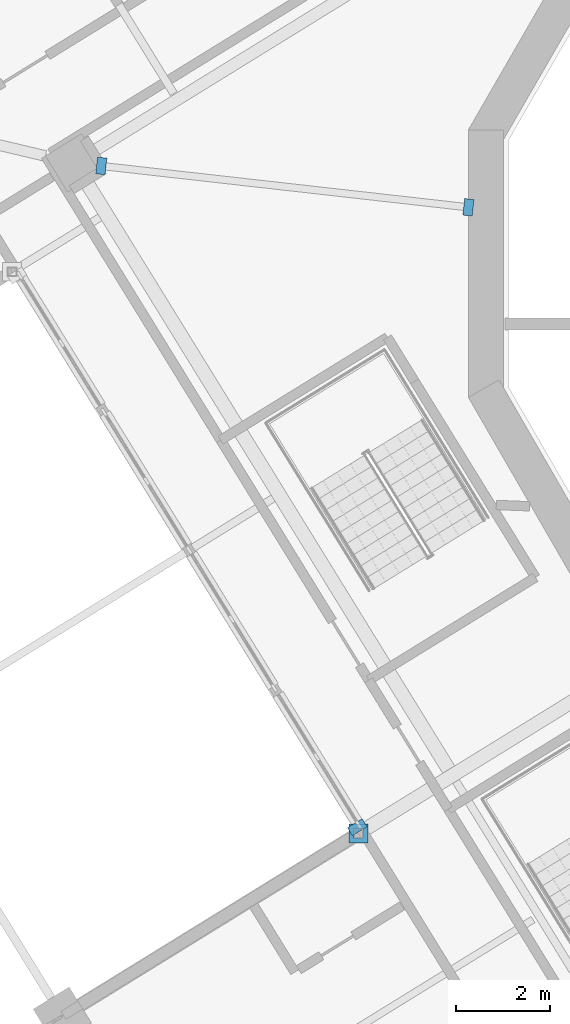
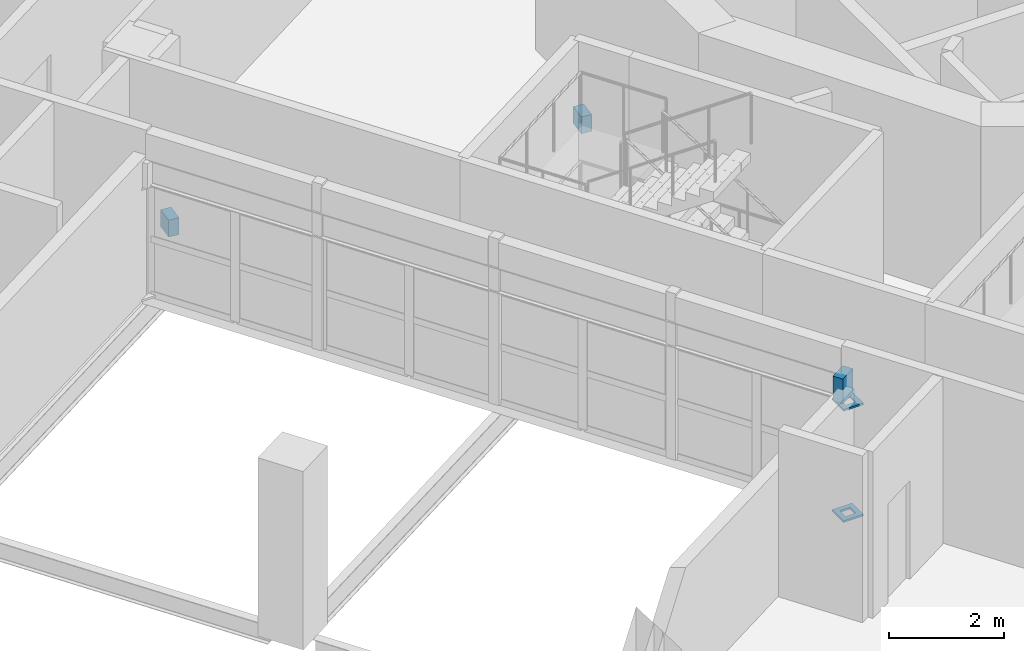
# One storey, part 12 of 20: 5 discrete accessories.
"""IFC4 building model written with IfcOpenShell, lengths in metres."""

import ifcopenshell
import ifcopenshell.guid

model = None  # the IFC model being written
_history = None  # IfcOwnerHistory: only IFC2X3 demands one
_inside = {}  # id of a spatial element -> (the spatial element, [elements in it])
_under = {}  # id of a project, library or spatial element -> (it, [spatial elements below it])
_declared = {}  # id of a project -> (the project, [libraries it declares])
_typed = {}  # id of a type object -> (the type object, [elements of that type])
_made_of = {}  # id of a material, layer set ... -> (it, [elements and type objects made of it])


def new_model(schema):
    """Start an empty IFC model of exactly this schema.

    Asked for "IFC4X3", IfcOpenShell would pick the latest addendum, in which some entities
    have other attributes; the version numbers below select the first issue.
    IFC2X3 requires an IfcOwnerHistory on every rooted entity: one is made here for all.
    """
    global model, _history
    if schema == "IFC4X3":
        model = ifcopenshell.file(schema_version=(4, 3, 0, 0))
    else:
        model = ifcopenshell.file(schema=schema)
    _inside.clear()
    _under.clear()
    _declared.clear()
    _typed.clear()
    _made_of.clear()
    _history = None
    if model.schema == "IFC2X3":
        org = make("IfcOrganization", Name="unknown")
        user = make(
            "IfcPersonAndOrganization",
            ThePerson=make("IfcPerson", FamilyName="unknown"),
            TheOrganization=org,
        )
        app = make(
            "IfcApplication",
            ApplicationDeveloper=org,
            Version="unknown",
            ApplicationFullName="unknown",
            ApplicationIdentifier="unknown",
        )
        _history = make(
            "IfcOwnerHistory",
            OwningUser=user,
            OwningApplication=app,
            ChangeAction="ADDED",
            CreationDate=0,
        )
    return model


def make(cls, **values):
    """One entity of the class cls with the attributes given. An attribute that is None is left unset."""
    return model.create_entity(
        cls, **{name: value for name, value in values.items() if value is not None}
    )


def rooted(cls, **values):
    """An entity with a GlobalId (a new one), such as an element, a storey or a relation."""
    return make(cls, GlobalId=ifcopenshell.guid.new(), OwnerHistory=_history, **values)


def si_unit(unit_type, name, prefix=None):
    """IfcSIUnit, for example si_unit("LENGTHUNIT", "METRE", prefix="MILLI")."""
    return make("IfcSIUnit", UnitType=unit_type, Prefix=prefix, Name=name)


def assignment(units):
    """IfcUnitAssignment: the units of a project."""
    return None if units is None else make("IfcUnitAssignment", Units=units)


def point(xyz):
    """IfcCartesianPoint."""
    return None if xyz is None else make("IfcCartesianPoint", Coordinates=xyz)


def direction(xyz):
    """IfcDirection."""
    return None if xyz is None else make("IfcDirection", DirectionRatios=xyz)


def frame(location, z_axis=None, x_axis=None):
    """IfcAxis2Placement3D, a coordinate frame: its origin and axes. An axis left out is left unset."""
    return make(
        "IfcAxis2Placement3D",
        Location=point(location),
        Axis=direction(z_axis),
        RefDirection=direction(x_axis),
    )


def origin():
    """The frame at (0, 0, 0) with its axes left unset."""
    return frame((0.0, 0.0, 0.0))


def place(relative_to, where):
    """IfcLocalPlacement: puts the frame where relative to a parent placement (None: the world)."""
    return make(
        "IfcLocalPlacement", PlacementRelTo=relative_to, RelativePlacement=where
    )


def context(
    kind, dimensions, precision=None, world=None, true_north=None, identifier=None
):
    """IfcGeometricRepresentationContext, for example the 3D "Model" context."""
    return make(
        "IfcGeometricRepresentationContext",
        ContextIdentifier=identifier,
        ContextType=kind,
        CoordinateSpaceDimension=dimensions,
        Precision=precision,
        WorldCoordinateSystem=world,
        TrueNorth=true_north,
    )


def subcontext(parent, identifier, kind, view, scale=None):
    """IfcGeometricRepresentationSubContext, for example "Body" below "Model"."""
    return make(
        "IfcGeometricRepresentationSubContext",
        ContextIdentifier=identifier,
        ContextType=kind,
        ParentContext=parent,
        TargetScale=scale,
        TargetView=view,
    )


def project(units=None, contexts=None):
    """IfcProject with its units and contexts."""
    return rooted(
        "IfcProject",
        Name="project",
        RepresentationContexts=contexts,
        UnitsInContext=assignment(units),
    )


def spatial(cls, under=None, at=None, **own):
    """A site, building, storey or space (cls), placed at a placement, below another one or the project."""
    s = rooted(cls, ObjectPlacement=at, **own)
    if under is not None:
        _under.setdefault(under.id(), (under, []))[1].append(s)
    return s


def polyline(points):
    """IfcPolyline through the points."""
    return make("IfcPolyline", Points=[point(p) for p in points])


def outline(outer, holes=None, kind="AREA"):
    """IfcArbitraryClosedProfileDef: a profile drawn as a closed curve; with holes, ...WithVoids."""
    if holes is None:
        return make("IfcArbitraryClosedProfileDef", ProfileType=kind, OuterCurve=outer)
    return make(
        "IfcArbitraryProfileDefWithVoids",
        ProfileType=kind,
        OuterCurve=outer,
        InnerCurves=holes,
    )


def extrude(swept, where, along, depth):
    """IfcExtrudedAreaSolid: the profile swept, set in the frame where, extruded along a direction by depth."""
    return make(
        "IfcExtrudedAreaSolid",
        SweptArea=swept,
        Position=where,
        ExtrudedDirection=direction(along),
        Depth=depth,
    )


def shape(context_of_items, identifier, shape_type, items):
    """IfcShapeRepresentation: the items that make up one representation, for example the "Body"."""
    return make(
        "IfcShapeRepresentation",
        ContextOfItems=context_of_items,
        RepresentationIdentifier=identifier,
        RepresentationType=shape_type,
        Items=items,
    )


def material(Name=None, Category=None):
    """IfcMaterial."""
    return make("IfcMaterial", Name=Name, Category=Category)


def layer(
    of_material, thickness, ventilated=None, Name=None, Category=None, Priority=None
):
    """IfcMaterialLayer: one layer of a wall or slab, of a material (None: an air gap)."""
    return make(
        "IfcMaterialLayer",
        Material=of_material,
        LayerThickness=thickness,
        IsVentilated=ventilated,
        Name=Name,
        Category=Category,
        Priority=Priority,
    )


def layer_set(layers, Name=None):
    """IfcMaterialLayerSet."""
    return make("IfcMaterialLayerSet", MaterialLayers=layers, LayerSetName=Name)


def made_of(thing, what):
    """Note that an element or type object is made of a material, layer set ...; save() writes the relation."""
    if what is not None:
        _made_of.setdefault(what.id(), (what, []))[1].append(thing)
    return thing


def type_object(cls, material=None, **own):
    """A type object (cls), such as IfcWallType, which elements share."""
    return made_of(rooted(cls, **own), material)


def element(
    cls,
    number,
    at=None,
    inside=None,
    cuts=None,
    type_object=None,
    material=None,
    context=None,
    identifier="Body",
    shape_type=None,
    held_by="IfcProductDefinitionShape",
    body=None,
    shapes=None,
    **own,
):
    """One element of the class cls, such as IfcWall. Its Tag is "e" and its number.

    at: its placement. inside: the storey or other place that contains it. cuts: it is an
    opening in that element (IfcRelVoidsElement). A single representation is given by context,
    identifier, shape_type and body (its items); several are given by shapes. held_by: the class
    of the entity that holds the representations. save() writes the other relations.
    """
    e = rooted(cls, Tag="e%d" % number, ObjectPlacement=at, **own)
    if body is not None:
        shapes = [shape(context, identifier, shape_type, body)]
    if shapes is not None:
        e.Representation = make(held_by, Representations=shapes)
    if inside is not None:
        _inside.setdefault(inside.id(), (inside, []))[1].append(e)
    if cuts is not None:
        rooted(
            "IfcRelVoidsElement", RelatingBuildingElement=cuts, RelatedOpeningElement=e
        )
    if type_object is not None:
        _typed.setdefault(type_object.id(), (type_object, []))[1].append(e)
    return made_of(e, material)


def aggregate(whole, parts):
    """IfcRelAggregates: a whole, such as a stair, and the parts it consists of."""
    return rooted("IfcRelAggregates", RelatingObject=whole, RelatedObjects=parts)


def save(model, path):
    """Write the relations noted so far, then the file.

    IfcRelAggregates (storeys below a building ...), IfcRelContainedInSpatialStructure (elements
    in a storey), IfcRelDefinesByType, IfcRelAssociatesMaterial and IfcRelDeclares: one each for
    every whole, place, type object, material and project.
    """
    for whole, parts in _under.values():
        aggregate(whole, parts)
    for where, things in _inside.values():
        rooted(
            "IfcRelContainedInSpatialStructure",
            RelatedElements=things,
            RelatingStructure=where,
        )
    for kind, things in _typed.values():
        rooted("IfcRelDefinesByType", RelatedObjects=things, RelatingType=kind)
    for what, things in _made_of.values():
        rooted("IfcRelAssociatesMaterial", RelatedObjects=things, RelatingMaterial=what)
    for by, libraries in _declared.values():
        rooted("IfcRelDeclares", RelatingContext=by, RelatedDefinitions=libraries)
    model.write(path)


model = new_model("IFC4")

# Units and contexts
model_context = context("Model", 3, precision=1e-05, world=origin(), true_north=direction((0.0, 1.0)))
body_context = subcontext(model_context, "Body", "Model", "MODEL_VIEW")
ifc_project = project(units=[si_unit("LENGTHUNIT", "METRE"), si_unit("AREAUNIT", "SQUARE_METRE"), si_unit("VOLUMEUNIT", "CUBIC_METRE"), si_unit("PLANEANGLEUNIT", "RADIAN"), si_unit("MASSUNIT", "GRAM", prefix="KILO")], contexts=[model_context])

# Site, building, storey
site_placement = place(None, origin())
site = spatial("IfcSite", under=ifc_project, at=site_placement, CompositionType="ELEMENT")
building_placement = place(site_placement, origin())
building = spatial("IfcBuilding", under=site, at=building_placement, Name="Cantera Rosa Tower", CompositionType="ELEMENT")
storey_placement = place(building_placement, frame((0.0, 0.0, 155.199951171875)))
storey = spatial("IfcBuildingStorey", under=building, at=storey_placement, Name="L33", CompositionType="ELEMENT", Elevation=155.199951171875)

# Discrete accessories
ifc_material = material(Name="Steel ASTM A992 (Fy 345 MPa)", Category="steel")
ifc_layer = layer(ifc_material, 0.0400390625)
ifc_layer_set = layer_set([ifc_layer], Name="STEEL BEARING PLATE 40")
discrete_accessory_type = type_object("IfcDiscreteAccessoryType", Name="STEEL BEARING PLATE 40", PredefinedType="ANCHORPLATE", material=ifc_layer_set)
discrete_accessory_1_placement = place(storey_placement, frame((0.0, 0.0, -0.659912109375)))
element("IfcDiscreteAccessory", 1, at=discrete_accessory_1_placement, inside=storey, type_object=discrete_accessory_type, Name="BEARING PLATE PG-Z3-01 end 1 L33", PredefinedType="ANCHORPLATE", context=body_context, shape_type="SweptSolid", body=[
    extrude(outline(polyline([(-18.316650390625, 2.242919921875), (-18.515380859375, 2.265380859375), (-18.554931640625, 1.91357421875), (-18.356201171875, 1.89111328125), (-18.316650390625, 2.242919921875)])), origin(), (0.0, 0.0, 1.0), 0.35986328125),
])
discrete_accessory_2_placement = place(storey_placement, frame((0.0, 0.0, -0.659912109375)))
element("IfcDiscreteAccessory", 2, at=discrete_accessory_2_placement, inside=storey, type_object=discrete_accessory_type, Name="BEARING PLATE PG-Z3-01 end 2 L33", PredefinedType="ANCHORPLATE", context=body_context, shape_type="SweptSolid", body=[
    extrude(outline(polyline([(-10.744384765625, 1.033203125), (-10.545654296875, 1.0107421875), (-10.506103515625, 1.3623046875), (-10.70458984375, 1.384765625), (-10.744384765625, 1.033203125)])), origin(), (0.0, 0.0, 1.0), 0.35986328125),
])
for number, where, name in (
    (3, (0.0, 0.0, 0.0), "POST PLATE L33-2F"),
    (4, (0.0, 0.0, 2.3740234375), "POST PLATE L33-2T"),
):
    element("IfcDiscreteAccessory", number, at=place(storey_placement, frame(where)), inside=storey, type_object=discrete_accessory_type, Name=name, PredefinedType="ANCHORPLATE", context=body_context, shape_type="SweptSolid", body=[
        extrude(outline(polyline([(-13.166748046875, -12.322021484375), (-12.766845703125, -12.322021484375), (-12.766845703125, -11.922119140625), (-13.166748046875, -11.922119140625), (-13.166748046875, -12.322021484375)]), holes=[polyline([(-13.06689453125, -12.221923828125), (-12.86669921875, -12.221923828125), (-12.86669921875, -12.02197265625), (-13.06689453125, -12.02197265625), (-13.06689453125, -12.221923828125)])]), origin(), (0.0, 0.0, 1.0), 0.0400390625),
    ])
discrete_accessory_3_placement = place(storey_placement, frame((0.0, 0.0, 2.4140625)))
element("IfcDiscreteAccessory", 5, at=discrete_accessory_3_placement, inside=storey, type_object=discrete_accessory_type, Name="LINTEL PLATE L33-2", PredefinedType="ANCHORPLATE", context=body_context, shape_type="SweptSolid", body=[
    extrude(outline(polyline([(-13.197998046875, -12.000244140625), (-13.093017578125, -12.170654296875), (-12.781494140625, -11.978515625), (-12.88671875, -11.80810546875), (-13.197998046875, -12.000244140625)])), origin(), (0.0, 0.0, 1.0), 0.528076171875),
])

save(model, "model.ifc")
